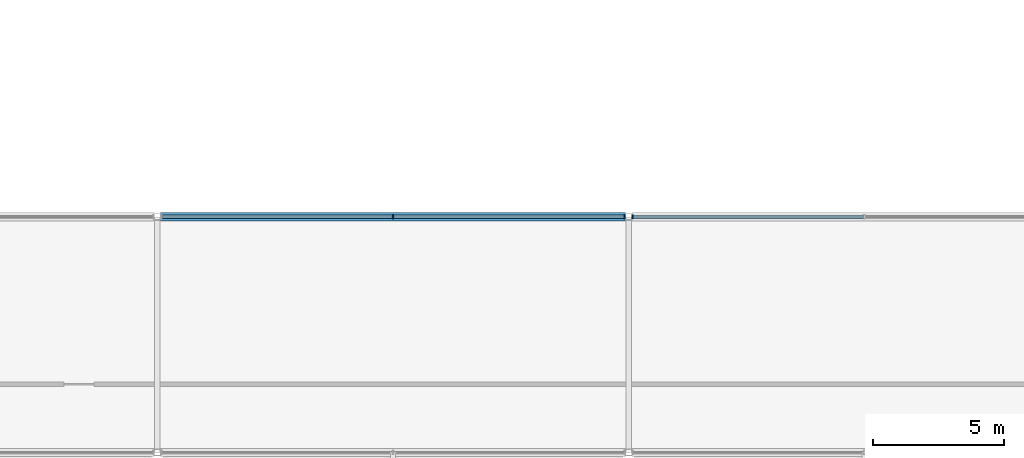
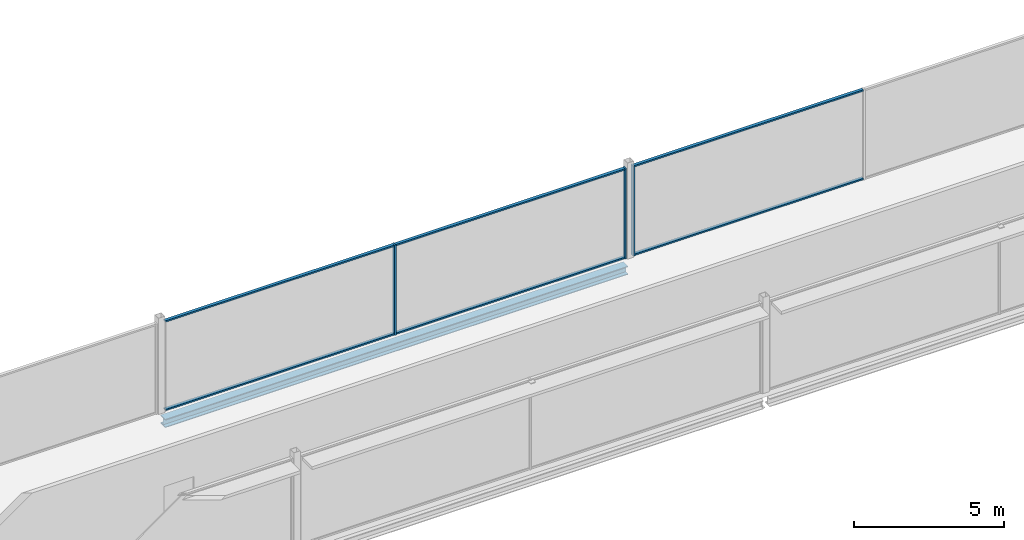
# One storey, part 24 of 96: 9 members, 1 beam, 2 elements without a shape of their own.
"""IFC4 building model written with IfcOpenShell, lengths in metres."""

from ifc_helpers import new_model, si_unit, direction, frame, origin, origin_2d, place, context, subcontext, project, spatial, rectangle, i_section, extrude, material, layer, layer_set, material_profile, profile_set, type_object, element, aggregate, save


model = new_model("IFC4")

# Units and contexts
model_context = context("Model", 3, precision=1e-05, world=origin(), true_north=direction((0.0, 1.0)))
body_context = subcontext(model_context, "Body", "Model", "MODEL_VIEW")
ifc_project = project(units=[si_unit("LENGTHUNIT", "METRE"), si_unit("AREAUNIT", "SQUARE_METRE"), si_unit("VOLUMEUNIT", "CUBIC_METRE"), si_unit("PLANEANGLEUNIT", "RADIAN"), si_unit("MASSUNIT", "GRAM", prefix="KILO")], contexts=[model_context])

# Site, building, storey
site_placement = place(None, origin())
site = spatial("IfcSite", under=ifc_project, at=site_placement, CompositionType="ELEMENT")
building_placement = place(site_placement, origin())
building = spatial("IfcBuilding", under=site, at=building_placement, Name="Kisiwana Market Hall", CompositionType="ELEMENT")
storey_placement = place(building_placement, frame((0.0, 0.0, 25.5)))
storey = spatial("IfcBuildingStorey", under=building, at=storey_placement, Name="L05", CompositionType="ELEMENT", Elevation=25.5)

# Beam
ifc_material_1 = material(Name="Steel S355", Category="steel")
ifc_material_profile_1 = material_profile(ifc_material_1, i_section(OverallWidth=0.314453125, OverallDepth=0.33984375, WebThickness=0.01904296875, FlangeThickness=0.031494140625, at=origin_2d()), Name="UC 305x305x198")
ifc_profile_set_1 = profile_set([ifc_material_profile_1], Name="Steel S355")
beam_type = type_object("IfcBeamType", Name="BM-SKYBR-CHORD", PredefinedType="BEAM", material=ifc_profile_set_1)
beam_placement = place(storey_placement, frame((63.12109375, 27.0, -0.43505859375), z_axis=(1.0, 0.0, 0.0), x_axis=(0.0, 1.0, 0.0)))
element("IfcBeam", 1, at=beam_placement, inside=storey, type_object=beam_type, Name="Floor beam B-1618", PredefinedType="BEAM", context=body_context, shape_type="SweptSolid", body=[
    extrude(i_section(OverallWidth=0.314453125, OverallDepth=0.33984375, WebThickness=0.01904296875, FlangeThickness=0.031494140625, at=origin_2d()), origin(), (0.0, 0.0, 1.0), 17.7578125),
])

# Curtain wall, members
ifc_material_2 = material(Name="Double-glazed solar-control low-E IGU", Category="glass")
ifc_layer = layer(ifc_material_2, 0.159912109375)
ifc_layer_set = layer_set([ifc_layer], Name="CW-ZNA-EW-8200")
curtain_wall_type = type_object("IfcCurtainWallType", Name="CW-ZNA-EW-8200", PredefinedType="USERDEFINED", material=ifc_layer_set)
curtain_wall_1_placement = place(storey_placement, origin())
curtain_wall_1 = element("IfcCurtainWall", 2, at=curtain_wall_1_placement, inside=storey, type_object=curtain_wall_type, Name="Unitised curtain wall CW-139 (L05)", ObjectType="UNITISED CURTAIN WALL", PredefinedType="USERDEFINED")
ifc_material_3 = material(Name="Aluminium alloy 6063-T6", Category="aluminium")
ifc_material_profile_2 = material_profile(ifc_material_3, rectangle(XDim=0.06005859375, YDim=0.159912109375, at=origin_2d()), Name="ALU MULLION 60x160")
ifc_profile_set_2 = profile_set([ifc_material_profile_2], Name="Aluminium alloy 6063-T6")
member_type_1 = type_object("IfcMemberType", Name="CW-MULL-60x160", PredefinedType="MULLION", material=ifc_profile_set_2)
member_1_placement = place(storey_placement, frame((72.0, 27.0, 0.0), z_axis=(0.0, 0.0, 1.0), x_axis=(1.0, 0.0, 0.0)))
member_1 = element("IfcMember", 3, at=member_1_placement, type_object=member_type_1, Name="CW-139 mullion 2", PredefinedType="MULLION", context=body_context, shape_type="SweptSolid", body=[
    extrude(rectangle(XDim=0.06005859375, YDim=0.159912109375, at=origin_2d()), origin(), (0.0, 0.0, 1.0), 3.655029296875),
])
member_2_placement = place(storey_placement, frame((80.844970703125, 27.0, 0.0), z_axis=(0.0, 0.0, 1.0), x_axis=(1.0, 0.0, 0.0)))
member_2 = element("IfcMember", 4, at=member_2_placement, type_object=member_type_1, Name="CW-139 mullion 3", PredefinedType="MULLION", context=body_context, shape_type="SweptSolid", body=[
    extrude(rectangle(XDim=0.06005859375, YDim=0.159912109375, at=origin_2d()), origin(), (0.0, 0.0, 1.0), 3.655029296875),
])

# Curtain wall, member
curtain_wall_2_placement = place(storey_placement, origin())
curtain_wall_2 = element("IfcCurtainWall", 5, at=curtain_wall_2_placement, inside=storey, type_object=curtain_wall_type, Name="Unitised curtain wall CW-140 (L05)", ObjectType="UNITISED CURTAIN WALL", PredefinedType="USERDEFINED")
member_3_placement = place(storey_placement, frame((81.155029296875, 27.0, 0.0), z_axis=(0.0, 0.0, 1.0), x_axis=(1.0, 0.0, 0.0)))
member_3 = element("IfcMember", 6, at=member_3_placement, type_object=member_type_1, Name="CW-140 mullion 1", PredefinedType="MULLION", context=body_context, shape_type="SweptSolid", body=[
    extrude(rectangle(XDim=0.06005859375, YDim=0.159912109375, at=origin_2d()), origin(), (0.0, 0.0, 1.0), 3.655029296875),
])

# Member
ifc_material_4 = material(Name="Aluminium alloy 6063-T6", Category="aluminium")
ifc_material_profile_3 = material_profile(ifc_material_4, rectangle(XDim=0.1201171875, YDim=0.06005859375, at=origin_2d()), Name="ALU TRANSOM 60x120")
ifc_profile_set_3 = profile_set([ifc_material_profile_3], Name="Aluminium alloy 6063-T6")
member_type_2 = type_object("IfcMemberType", Name="CW-TRAN-60x120", PredefinedType="USERDEFINED", material=ifc_profile_set_3)
member_4_placement = place(storey_placement, frame((63.18505859375, 27.0, 0.030029296875), z_axis=(1.0, 0.0, 0.0), x_axis=(0.0, 1.0, 0.0)))
member_4 = element("IfcMember", 7, at=member_4_placement, type_object=member_type_2, Name="CW-139 transom 1.1", ObjectType="TRANSOM", PredefinedType="USERDEFINED", context=body_context, shape_type="SweptSolid", body=[
    extrude(rectangle(XDim=0.1201171875, YDim=0.06005859375, at=origin_2d()), origin(), (0.0, 0.0, 1.0), 8.784912109375),
])

member_5_placement = place(storey_placement, frame((63.18505859375, 27.0, 3.625), z_axis=(1.0, 0.0, 0.0), x_axis=(0.0, 1.0, 0.0)))
member_5 = element("IfcMember", 8, at=member_5_placement, type_object=member_type_2, Name="CW-139 transom 1.2", ObjectType="TRANSOM", PredefinedType="USERDEFINED", context=body_context, shape_type="SweptSolid", body=[
    extrude(rectangle(XDim=0.1201171875, YDim=0.06005859375, at=origin_2d()), origin(), (0.0, 0.0, 1.0), 8.784912109375),
])

member_6_placement = place(storey_placement, frame((72.030029296875, 27.0, 0.030029296875), z_axis=(1.0, 0.0, 0.0), x_axis=(0.0, 1.0, 0.0)))
member_6 = element("IfcMember", 9, at=member_6_placement, type_object=member_type_2, Name="CW-139 transom 2.1", ObjectType="TRANSOM", PredefinedType="USERDEFINED", context=body_context, shape_type="SweptSolid", body=[
    extrude(rectangle(XDim=0.1201171875, YDim=0.06005859375, at=origin_2d()), origin(), (0.0, 0.0, 1.0), 8.784912109375),
])

member_7_placement = place(storey_placement, frame((72.030029296875, 27.0, 3.625), z_axis=(1.0, 0.0, 0.0), x_axis=(0.0, 1.0, 0.0)))
member_7 = element("IfcMember", 10, at=member_7_placement, type_object=member_type_2, Name="CW-139 transom 2.2", ObjectType="TRANSOM", PredefinedType="USERDEFINED", context=body_context, shape_type="SweptSolid", body=[
    extrude(rectangle(XDim=0.1201171875, YDim=0.06005859375, at=origin_2d()), origin(), (0.0, 0.0, 1.0), 8.784912109375),
])

aggregate(curtain_wall_1, [member_1, member_2, member_4, member_5, member_6, member_7])

member_8_placement = place(storey_placement, frame((81.18505859375, 27.0, 0.030029296875), z_axis=(1.0, 0.0, 0.0), x_axis=(0.0, 1.0, 0.0)))
member_8 = element("IfcMember", 11, at=member_8_placement, type_object=member_type_2, Name="CW-140 transom 1.1", ObjectType="TRANSOM", PredefinedType="USERDEFINED", context=body_context, shape_type="SweptSolid", body=[
    extrude(rectangle(XDim=0.1201171875, YDim=0.06005859375, at=origin_2d()), origin(), (0.0, 0.0, 1.0), 8.784912109375),
])

member_9_placement = place(storey_placement, frame((81.18505859375, 27.0, 3.625), z_axis=(1.0, 0.0, 0.0), x_axis=(0.0, 1.0, 0.0)))
member_9 = element("IfcMember", 12, at=member_9_placement, type_object=member_type_2, Name="CW-140 transom 1.2", ObjectType="TRANSOM", PredefinedType="USERDEFINED", context=body_context, shape_type="SweptSolid", body=[
    extrude(rectangle(XDim=0.1201171875, YDim=0.06005859375, at=origin_2d()), origin(), (0.0, 0.0, 1.0), 8.784912109375),
])

aggregate(curtain_wall_2, [member_3, member_8, member_9])

save(model, "model.ifc")
